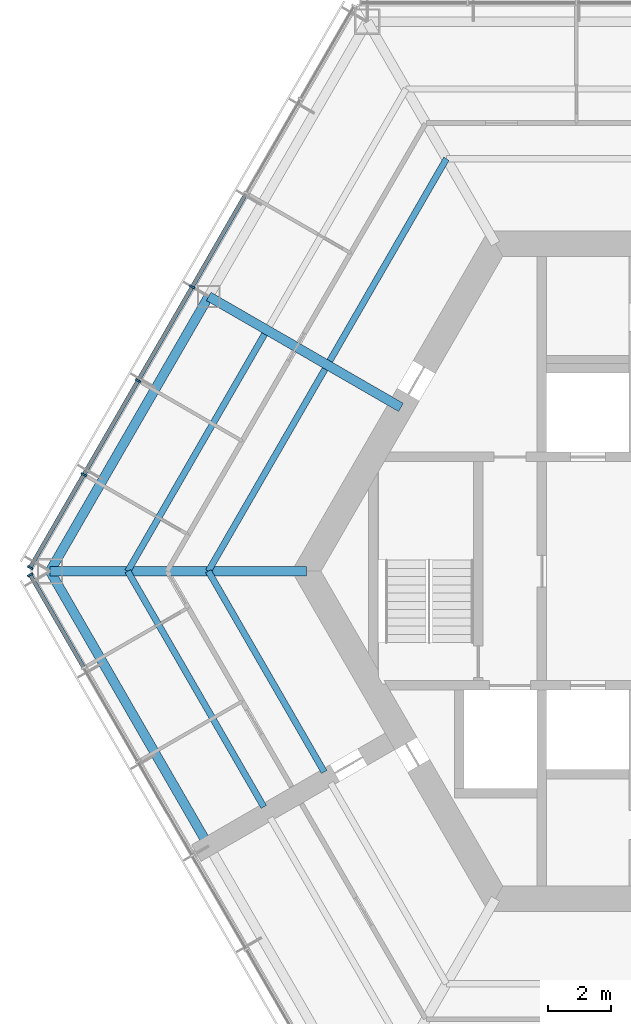
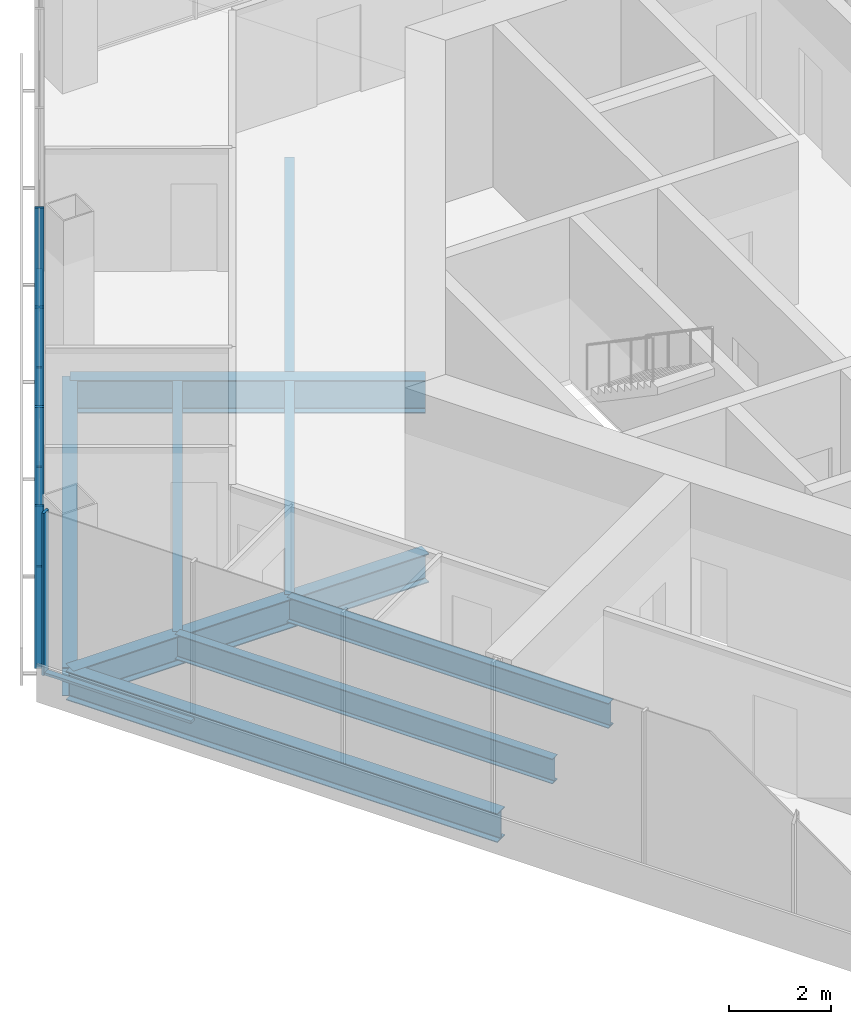
# One storey, part 3 of 13: 10 members, 9 beams, 2 elements without a shape of their own.
"""IFC4 building model written with IfcOpenShell, lengths in metres."""

from ifc_helpers import new_model, si_unit, direction, frame, origin, origin_2d, place, context, subcontext, project, spatial, rectangle, i_section, extrude, material, material_profile, profile_set, type_object, element, aggregate, save


model = new_model("IFC4")

# Units and contexts
model_context = context("Model", 3, precision=1e-05, world=origin(), true_north=direction((0.0, 1.0)))
body_context = subcontext(model_context, "Body", "Model", "MODEL_VIEW")
ifc_project = project(units=[si_unit("LENGTHUNIT", "METRE"), si_unit("AREAUNIT", "SQUARE_METRE"), si_unit("VOLUMEUNIT", "CUBIC_METRE"), si_unit("PLANEANGLEUNIT", "RADIAN"), si_unit("MASSUNIT", "GRAM", prefix="KILO")], contexts=[model_context])

# Site, building, storey
site_placement = place(None, origin())
site = spatial("IfcSite", under=ifc_project, at=site_placement, CompositionType="ELEMENT")
building_placement = place(site_placement, origin())
building = spatial("IfcBuilding", under=site, at=building_placement, Name="Kasaneha Research Tower", CompositionType="ELEMENT")
storey_placement = place(building_placement, frame((0.0, 0.0, 290.800048828125)))
storey = spatial("IfcBuildingStorey", under=building, at=storey_placement, Name="L73", CompositionType="ELEMENT", Elevation=290.800048828125)

# Beams
ifc_material_1 = material(Name="Steel SN490B", Category="steel")
ifc_material_profile_1 = material_profile(ifc_material_1, i_section(OverallWidth=0.199951171875, OverallDepth=0.60009765625, WebThickness=0.010986328125, FlangeThickness=0.01708984375, FilletRadius=0.012939453125, at=origin_2d()), Name="H-600x200x11x17")
ifc_profile_set_1 = profile_set([ifc_material_profile_1], Name="Steel SN490B")
beam_type_1 = type_object("IfcBeamType", Name="B1-3 secondary beam H-600x200x11x17", PredefinedType="JOIST", material=ifc_profile_set_1)
for number, where, z_axis, x_axis, name in (
    (1, (-7.505615234375, 13.0, -0.449951171875), (-0.499994443168, -0.866028611999, 0.0), (0.866028611999, -0.499994443168, 0.0), "Secondary beam RS150L1 L73"),
    (2, (-15.010986328125, 0.0, -0.449951171875), (0.499994443168, 0.866028611999, 0.0), (-0.866028611999, 0.499994443168, 0.0), "Secondary beam RS150R1 L73"),
):
    element("IfcBeam", number, at=place(storey_placement, frame(where, z_axis=z_axis, x_axis=x_axis)), inside=storey, type_object=beam_type_1, Name=name, PredefinedType="JOIST", context=body_context, shape_type="SweptSolid", body=[
        extrude(i_section(OverallWidth=0.199951171875, OverallDepth=0.60009765625, WebThickness=0.010986328125, FlangeThickness=0.01708984375, FilletRadius=0.012939453125, at=origin_2d()), origin(), (0.0, 0.0, 1.0), 7.35546875),
    ])
beam_1_placement = place(storey_placement, frame((-17.551513671875, 0.0, -0.449951171875), z_axis=(0.5000050195, 0.866022505755, 0.0), x_axis=(-0.866022505755, 0.5000050195, 0.0)))
element("IfcBeam", 3, at=beam_1_placement, inside=storey, type_object=beam_type_1, Name="Secondary beam RS150R2 L73", PredefinedType="JOIST", context=body_context, shape_type="SweptSolid", body=[
    extrude(i_section(OverallWidth=0.199951171875, OverallDepth=0.60009765625, WebThickness=0.010986328125, FlangeThickness=0.01708984375, FilletRadius=0.012939453125, at=origin_2d()), origin(), (0.0, 0.0, 1.0), 8.6259765625),
])
beam_2_placement = place(storey_placement, frame((-15.010986328125, 0.0, -0.449951171875), z_axis=(0.499974128195, -0.866040340363, 0.0), x_axis=(0.866040340363, 0.499974128195, 0.0)))
element("IfcBeam", 4, at=beam_2_placement, inside=storey, type_object=beam_type_1, Name="Secondary beam RS210L1 L73", PredefinedType="JOIST", context=body_context, shape_type="SweptSolid", body=[
    extrude(i_section(OverallWidth=0.199951171875, OverallDepth=0.60009765625, WebThickness=0.010986328125, FlangeThickness=0.01708984375, FilletRadius=0.012939453125, at=origin_2d()), origin(), (0.0, 0.0, 1.0), 7.3056640625),
])
beam_3_placement = place(storey_placement, frame((-17.551513671875, 0.0, -0.449951171875), z_axis=(0.500000102728, -0.866025344474, 0.0), x_axis=(0.866025344474, 0.500000102728, 0.0)))
element("IfcBeam", 5, at=beam_3_placement, inside=storey, type_object=beam_type_1, Name="Secondary beam RS210L2 L73", PredefinedType="JOIST", context=body_context, shape_type="SweptSolid", body=[
    extrude(i_section(OverallWidth=0.199951171875, OverallDepth=0.60009765625, WebThickness=0.010986328125, FlangeThickness=0.01708984375, FilletRadius=0.012939453125, at=origin_2d()), origin(), (0.0, 0.0, 1.0), 8.57568359375),
])

# Curtain wall, members
ifc_material_2 = material(Name="Glass and aluminium", Category="aluminium")
curtain_wall_type = type_object("IfcCurtainWallType", Name="Crown curtain wall", PredefinedType="USERDEFINED", material=ifc_material_2)
curtain_wall_1_placement = place(storey_placement, origin())
curtain_wall_1 = element("IfcCurtainWall", 6, at=curtain_wall_1_placement, inside=storey, type_object=curtain_wall_type, Name="CW-C L73 run 03a", ObjectType="UNITISED CURTAIN WALL", PredefinedType="USERDEFINED")
ifc_material_3 = material(Name="Aluminium 6063-T6", Category="aluminium")
ifc_material_profile_2 = material_profile(ifc_material_3, rectangle(XDim=0.06005859375, YDim=0.179931640625, at=origin_2d()), Name="CW-C mullion 60x180")
ifc_profile_set_2 = profile_set([ifc_material_profile_2], Name="Aluminium 6063-T6")
member_type_1 = type_object("IfcMemberType", Name="CW-C mullion", PredefinedType="MULLION", material=ifc_profile_set_2)
member_1_placement = place(storey_placement, frame((-15.51953125, 8.960205078125, 0.0), z_axis=(0.0, 0.0, 1.0), x_axis=(-0.499999995722, -0.866025406254, 0.0)))
member_1 = element("IfcMember", 7, at=member_1_placement, type_object=member_type_1, Name="CW-C mullion 4", PredefinedType="MULLION", context=body_context, shape_type="SweptSolid", body=[
    extrude(rectangle(XDim=0.06005859375, YDim=0.179931640625, at=origin_2d()), origin(), (0.0, 0.0, 1.0), 3.89990234375),
])
member_2_placement = place(storey_placement, frame((-17.227294921875, 6.00244140625, 0.0), z_axis=(0.0, 0.0, 1.0), x_axis=(-0.499999995722, -0.866025406254, 0.0)))
member_2 = element("IfcMember", 8, at=member_2_placement, type_object=member_type_1, Name="CW-C mullion 5", PredefinedType="MULLION", context=body_context, shape_type="SweptSolid", body=[
    extrude(rectangle(XDim=0.06005859375, YDim=0.179931640625, at=origin_2d()), origin(), (0.0, 0.0, 1.0), 3.89990234375),
])
member_3_placement = place(storey_placement, frame((-18.93505859375, 3.04443359375, 0.0), z_axis=(0.0, 0.0, 1.0), x_axis=(-0.499999995722, -0.866025406254, 0.0)))
member_3 = element("IfcMember", 9, at=member_3_placement, type_object=member_type_1, Name="CW-C mullion 6", PredefinedType="MULLION", context=body_context, shape_type="SweptSolid", body=[
    extrude(rectangle(XDim=0.06005859375, YDim=0.179931640625, at=origin_2d()), origin(), (0.0, 0.0, 1.0), 3.89990234375),
])
member_4_placement = place(storey_placement, frame((-20.6279296875, 0.112548828125, 0.0), z_axis=(0.0, 0.0, 1.0), x_axis=(-0.499999995722, -0.866025406254, 0.0)))
member_4 = element("IfcMember", 10, at=member_4_placement, type_object=member_type_1, Name="CW-C mullion 7", PredefinedType="MULLION", context=body_context, shape_type="SweptSolid", body=[
    extrude(rectangle(XDim=0.06005859375, YDim=0.179931640625, at=origin_2d()), origin(), (0.0, 0.0, 1.0), 3.89990234375),
])

# Curtain wall, member
curtain_wall_2_placement = place(storey_placement, origin())
curtain_wall_2 = element("IfcCurtainWall", 11, at=curtain_wall_2_placement, inside=storey, type_object=curtain_wall_type, Name="CW-C L73 run 04a", ObjectType="UNITISED CURTAIN WALL", PredefinedType="USERDEFINED")
member_5_placement = place(storey_placement, frame((-20.6279296875, -0.112548828125, 0.0), z_axis=(0.0, 0.0, 1.0), x_axis=(0.499999995722, -0.866025406254, 0.0)))
member_5 = element("IfcMember", 12, at=member_5_placement, type_object=member_type_1, Name="CW-C mullion 1", PredefinedType="MULLION", context=body_context, shape_type="SweptSolid", body=[
    extrude(rectangle(XDim=0.06005859375, YDim=0.179931640625, at=origin_2d()), origin(), (0.0, 0.0, 1.0), 3.89990234375),
])

# Member
ifc_material_4 = material(Name="Aluminium 6063-T6", Category="aluminium")
ifc_material_profile_3 = material_profile(ifc_material_4, rectangle(XDim=0.1298828125, YDim=0.06005859375, at=origin_2d()), Name="CW-C transom 130x60")
ifc_profile_set_3 = profile_set([ifc_material_profile_3], Name="Aluminium 6063-T6")
member_type_2 = type_object("IfcMemberType", Name="CW-C transom", PredefinedType="USERDEFINED", material=ifc_profile_set_3)
member_6_placement = place(storey_placement, frame((-13.826904296875, 11.89208984375, 0.030029296875), z_axis=(-0.500020578564, -0.866013522419, 0.0), x_axis=(0.866013522419, -0.500020578564, 0.0)))
member_6 = element("IfcMember", 13, at=member_6_placement, type_object=member_type_2, Name="CW-C transom 3", ObjectType="TRANSOM", PredefinedType="USERDEFINED", context=body_context, shape_type="SweptSolid", body=[
    extrude(rectangle(XDim=0.1298828125, YDim=0.06005859375, at=origin_2d()), origin(), (0.0, 0.0, 1.0), 3.355224609375),
])

member_7_placement = place(storey_placement, frame((-15.53466796875, 8.934326171875, 0.030029296875), z_axis=(-0.499989072476, -0.866031712701, 0.0), x_axis=(0.866031712701, -0.499989072476, 0.0)))
member_7 = element("IfcMember", 14, at=member_7_placement, type_object=member_type_2, Name="CW-C transom 4", ObjectType="TRANSOM", PredefinedType="USERDEFINED", context=body_context, shape_type="SweptSolid", body=[
    extrude(rectangle(XDim=0.1298828125, YDim=0.06005859375, at=origin_2d()), origin(), (0.0, 0.0, 1.0), 3.35546875),
])

member_8_placement = place(storey_placement, frame((-17.242431640625, 5.976318359375, 0.030029296875), z_axis=(-0.500020578564, -0.866013522419, 0.0), x_axis=(0.866013522419, -0.500020578564, 0.0)))
member_8 = element("IfcMember", 15, at=member_8_placement, type_object=member_type_2, Name="CW-C transom 5", ObjectType="TRANSOM", PredefinedType="USERDEFINED", context=body_context, shape_type="SweptSolid", body=[
    extrude(rectangle(XDim=0.1298828125, YDim=0.06005859375, at=origin_2d()), origin(), (0.0, 0.0, 1.0), 3.355224609375),
])

member_9_placement = place(storey_placement, frame((-18.9501953125, 3.0185546875, 0.030029296875), z_axis=(-0.49997666526, -0.866038875684, 0.0), x_axis=(0.866038875684, -0.49997666526, 0.0)))
member_9 = element("IfcMember", 16, at=member_9_placement, type_object=member_type_2, Name="CW-C transom 6", ObjectType="TRANSOM", PredefinedType="USERDEFINED", context=body_context, shape_type="SweptSolid", body=[
    extrude(rectangle(XDim=0.1298828125, YDim=0.06005859375, at=origin_2d()), origin(), (0.0, 0.0, 1.0), 3.325439453125),
])

aggregate(curtain_wall_1, [member_1, member_2, member_3, member_4, member_6, member_7, member_8, member_9])

member_10_placement = place(storey_placement, frame((-20.61279296875, -0.138671875, 0.030029296875), z_axis=(0.49997666526, -0.866038875684, 0.0), x_axis=(0.866038875684, 0.49997666526, 0.0)))
member_10 = element("IfcMember", 17, at=member_10_placement, type_object=member_type_2, Name="CW-C transom 1", ObjectType="TRANSOM", PredefinedType="USERDEFINED", context=body_context, shape_type="SweptSolid", body=[
    extrude(rectangle(XDim=0.1298828125, YDim=0.06005859375, at=origin_2d()), origin(), (0.0, 0.0, 1.0), 3.325439453125),
])

aggregate(curtain_wall_2, [member_5, member_10])

# Beams
ifc_material_5 = material(Name="Steel SN490B", Category="steel")
ifc_material_profile_4 = material_profile(ifc_material_5, i_section(OverallWidth=0.300048828125, OverallDepth=0.699951171875, WebThickness=0.012939453125, FlangeThickness=0.02392578125, FilletRadius=0.01806640625, at=origin_2d()), Name="H-700x300x13x24")
ifc_profile_set_4 = profile_set([ifc_material_profile_4], Name="Steel SN490B")
beam_type_2 = type_object("IfcBeamType", Name="G1-3 radial girder H-700x300x13x24", PredefinedType="BEAM", material=ifc_profile_set_4)
beam_4_placement = place(storey_placement, frame((-11.92236328125, 0.0, -0.5), z_axis=(-1.0, 0.0, 0.0), x_axis=(0.0, -1.0, 0.0)))
element("IfcBeam", 18, at=beam_4_placement, inside=storey, type_object=beam_type_2, Name="Radial girder RV180 L73", PredefinedType="BEAM", context=body_context, shape_type="SweptSolid", body=[
    extrude(i_section(OverallWidth=0.300048828125, OverallDepth=0.699951171875, WebThickness=0.012939453125, FlangeThickness=0.02392578125, FilletRadius=0.01806640625, at=origin_2d()), origin(), (0.0, 0.0, 1.0), 8.07763671875),
])
ifc_material_6 = material(Name="Steel SN490B", Category="steel")
ifc_material_profile_5 = material_profile(ifc_material_6, i_section(OverallWidth=0.300048828125, OverallDepth=0.800048828125, WebThickness=0.013916015625, FlangeThickness=0.02587890625, FilletRadius=0.01806640625, at=origin_2d()), Name="H-800x300x14x26")
ifc_profile_set_5 = profile_set([ifc_material_profile_5], Name="Steel SN490B")
beam_type_3 = type_object("IfcBeamType", Name="G2-3 radial girder H-800x300x14x26", PredefinedType="BEAM", material=ifc_profile_set_5)
beam_5_placement = place(storey_placement, frame((-8.941650390625, 5.16259765625, -0.550048828125), z_axis=(-0.866039713508, 0.499975214012, 0.0), x_axis=(-0.499975214012, -0.866039713508, 0.0)))
element("IfcBeam", 19, at=beam_5_placement, inside=storey, type_object=beam_type_3, Name="Radial girder RM150 L73", PredefinedType="BEAM", context=body_context, shape_type="SweptSolid", body=[
    extrude(i_section(OverallWidth=0.300048828125, OverallDepth=0.800048828125, WebThickness=0.013916015625, FlangeThickness=0.02587890625, FilletRadius=0.01806640625, at=origin_2d()), origin(), (0.0, 0.0, 1.0), 6.995361328125),
])
ifc_material_7 = material(Name="Steel SN490B", Category="steel")
ifc_material_profile_6 = material_profile(ifc_material_7, i_section(OverallWidth=0.300048828125, OverallDepth=0.69189453125, WebThickness=0.012939453125, FlangeThickness=0.02001953125, FilletRadius=0.01806640625, at=origin_2d()), Name="H-692x300x13x20")
ifc_profile_set_6 = profile_set([ifc_material_profile_6], Name="Steel SN490B")
beam_type_4 = type_object("IfcBeamType", Name="G3-3 plate edge girder H-692x300x13x20", PredefinedType="BEAM", material=ifc_profile_set_6)
beam_6_placement = place(storey_placement, frame((-20.0, 0.0, -0.49609375), z_axis=(0.49999201416, -0.866030014362, 0.0), x_axis=(0.866030014362, 0.49999201416, 0.0)))
element("IfcBeam", 20, at=beam_6_placement, inside=storey, type_object=beam_type_4, Name="Plate edge girder PEBP L73", PredefinedType="BEAM", context=body_context, shape_type="SweptSolid", body=[
    extrude(i_section(OverallWidth=0.300048828125, OverallDepth=0.69189453125, WebThickness=0.012939453125, FlangeThickness=0.02001953125, FilletRadius=0.01806640625, at=origin_2d()), origin(), (0.0, 0.0, 1.0), 9.800048828125),
])
ifc_material_8 = material(Name="Steel SN490B", Category="steel")
ifc_material_profile_7 = material_profile(ifc_material_8, i_section(OverallWidth=0.300048828125, OverallDepth=0.69189453125, WebThickness=0.012939453125, FlangeThickness=0.02001953125, FilletRadius=0.01806640625, at=origin_2d()), Name="H-692x300x13x20")
ifc_profile_set_7 = profile_set([ifc_material_profile_7], Name="Steel SN490B")
beam_type_5 = type_object("IfcBeamType", Name="SB1-3 spandrel beam H-692x300x13x20", PredefinedType="SPANDREL", material=ifc_profile_set_7)
beam_7_placement = place(storey_placement, frame((-20.0, 0.0, -0.49609375), z_axis=(0.500004234368, 0.866022959057, 0.0), x_axis=(-0.866022959057, 0.500004234368, 0.0)))
element("IfcBeam", 21, at=beam_7_placement, inside=storey, type_object=beam_type_5, Name="Spandrel beam SR150R L73", PredefinedType="SPANDREL", context=body_context, shape_type="SweptSolid", body=[
    extrude(i_section(OverallWidth=0.300048828125, OverallDepth=0.69189453125, WebThickness=0.012939453125, FlangeThickness=0.02001953125, FilletRadius=0.01806640625, at=origin_2d()), origin(), (0.0, 0.0, 1.0), 10.0),
])

save(model, "model.ifc")
